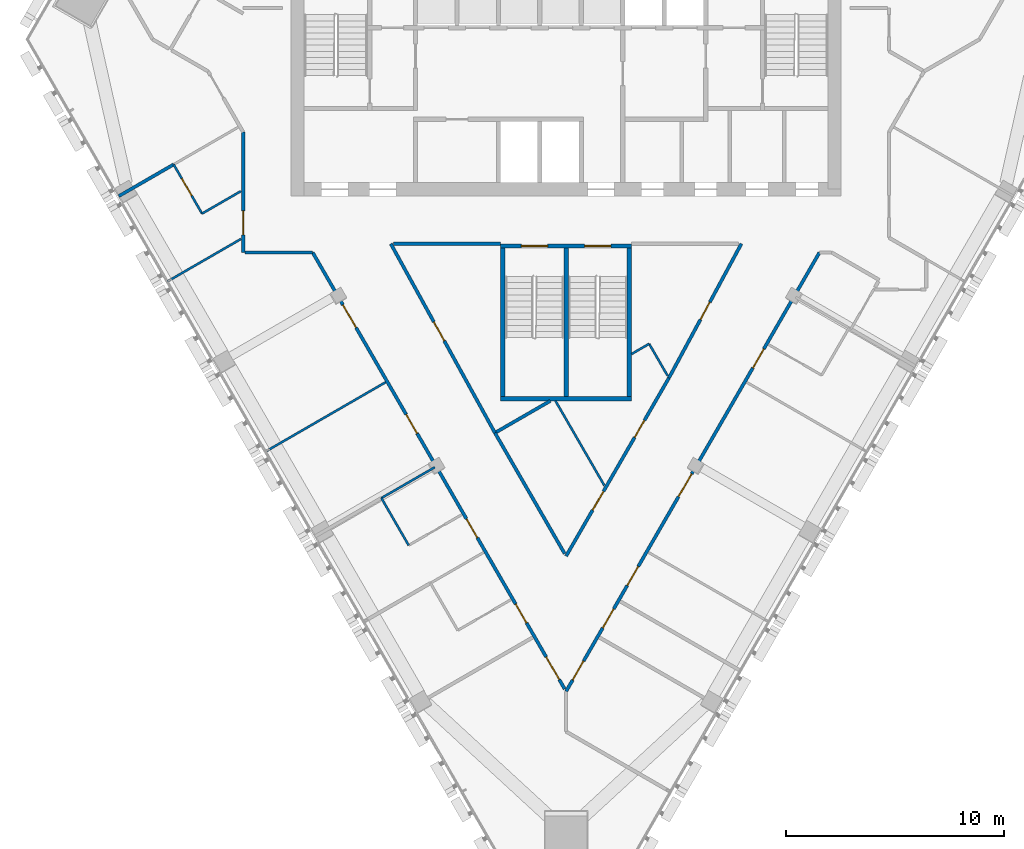
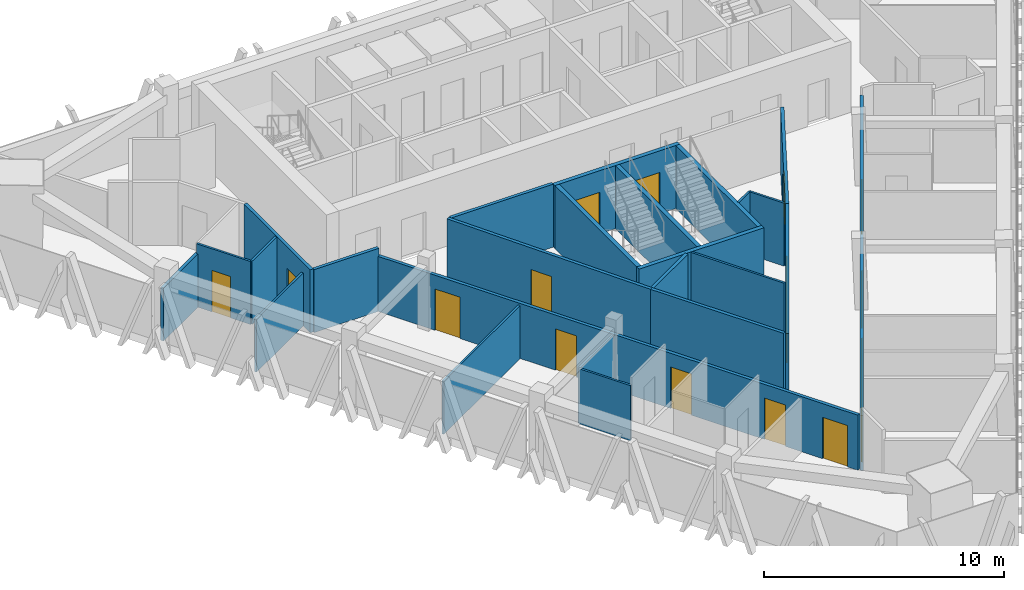
# One storey, part 8 of 14: 25 walls, 18 doors, 18 openings.
"""IFC4 building model written with IfcOpenShell, lengths in metres."""

from ifc_helpers import new_model, si_unit, direction, frame, frame_2d, origin, place, context, subcontext, project, spatial, rectangle, extrude, material, layer, layer_set, type_object, element, fill, save


model = new_model("IFC4")

# Units and contexts
model_context = context("Model", 3, precision=1e-05, world=origin(), true_north=direction((0.0, 1.0)))
body_context = subcontext(model_context, "Body", "Model", "MODEL_VIEW")
ifc_project = project(units=[si_unit("LENGTHUNIT", "METRE"), si_unit("AREAUNIT", "SQUARE_METRE"), si_unit("VOLUMEUNIT", "CUBIC_METRE"), si_unit("PLANEANGLEUNIT", "RADIAN"), si_unit("MASSUNIT", "GRAM", prefix="KILO")], contexts=[model_context])

# Site, building, storey
site_placement = place(None, origin())
site = spatial("IfcSite", under=ifc_project, at=site_placement, CompositionType="ELEMENT")
building_placement = place(site_placement, origin())
building = spatial("IfcBuilding", under=site, at=building_placement, Name="Altiplano Prism Tower", CompositionType="ELEMENT")
storey_placement = place(building_placement, frame((0.0, 0.0, 223.0)))
storey = spatial("IfcBuildingStorey", under=building, at=storey_placement, Name="L57", CompositionType="ELEMENT", Elevation=223.0)

# Wall
ifc_material_1 = material(Name="Plasterboard on steel stud", Category="steel")
ifc_layer_1 = layer(ifc_material_1, 0.10009765625)
ifc_layer_set_1 = layer_set([ifc_layer_1], Name="Plasterboard on steel stud")
wall_type_1 = type_object("IfcWallType", Name="Partition 100 unit", PredefinedType="PARTITIONING", material=ifc_layer_set_1)
wall_1_placement = place(storey_placement, frame((70.10009765625, 93.012451171875, 0.0), z_axis=(0.0, 0.0, 1.0), x_axis=(-0.866001980287, -0.500040568494, 0.0)))
element("IfcWall", 1, at=wall_1_placement, inside=storey, type_object=wall_type_1, Name="Partition P02 L57 035", PredefinedType="PARTITIONING", context=body_context, shape_type="SweptSolid", body=[
    extrude(rectangle(XDim=2.059326171875, YDim=0.10009765625, at=frame_2d((1.02978515625, 0.0))), origin(), (0.0, 0.0, 1.0), 3.199951171875),
])

# Wall, opening, door
wall_2_placement = place(storey_placement, frame((68.316650390625, 91.982666015625, 0.0), z_axis=(0.0, 0.0, 1.0), x_axis=(-0.500006934395, 0.866021400173, 0.0)))
wall_2 = element("IfcWall", 2, at=wall_2_placement, inside=storey, type_object=wall_type_1, Name="Partition P02 L57 036", PredefinedType="PARTITIONING", context=body_context, shape_type="SweptSolid", body=[
    extrude(rectangle(XDim=2.60009765625, YDim=0.10009765625, at=frame_2d((1.300048828125, 0.0))), origin(), (0.0, 0.0, 1.0), 3.199951171875),
])
opening_1_placement = place(wall_2_placement, frame((0.95703125, 0.0, 0.0)))
opening_1 = element("IfcOpeningElement", 3, at=opening_1_placement, cuts=wall_2, Name="Opening D1903", PredefinedType="OPENING", context=body_context, shape_type="SweptSolid", body=[
    extrude(rectangle(XDim=0.89990234375, YDim=2.10009765625, at=frame_2d((0.449951171875, 1.050048828125))), frame((0.0, 0.060546875, 0.0), z_axis=(0.0, -1.0, 0.0), x_axis=(1.0, 0.0, 0.0)), (0.0, 0.0, 1.0), 0.12109375),
])
ifc_material_2 = material(Name="Timber", Category="wood")
door_type_1 = type_object("IfcDoorType", Name="Accessible ensuite door 900 x 2100", OperationType="NOTDEFINED", PredefinedType="NOTDEFINED", material=ifc_material_2)
door_1_placement = place(opening_1_placement, origin())
door_1 = element("IfcDoor", 4, at=door_1_placement, inside=storey, type_object=door_type_1, Name="Door D1903", OperationType="SINGLE_SWING_LEFT", OverallHeight=2.10009765625, OverallWidth=0.89990234375, PredefinedType="NOTDEFINED", context=body_context, shape_type="SweptSolid", body=[
    extrude(rectangle(XDim=0.89990234375, YDim=2.10009765625, at=frame_2d((0.449951171875, 1.050048828125))), frame((0.0, 0.02490234375, 0.0), z_axis=(0.0, -1.0, 0.0), x_axis=(1.0, 0.0, 0.0)), (0.0, 0.0, 1.0), 0.050048828125),
])
fill(opening_1, door_1)

# Walls
wall_3_placement = place(storey_placement, frame((77.7861328125, 76.781005859375, 0.0), z_axis=(0.0, 0.0, 1.0), x_axis=(-0.500004234368, 0.866022959057, 0.0)))
element("IfcWall", 5, at=wall_3_placement, inside=storey, type_object=wall_type_1, Name="Partition P02 L57 042", PredefinedType="PARTITIONING", context=body_context, shape_type="SweptSolid", body=[
    extrude(rectangle(XDim=2.5, YDim=0.10009765625, at=frame_2d((1.25, 0.0))), origin(), (0.0, 0.0, 1.0), 2.800048828125),
])
ifc_layer_2 = layer(ifc_material_1, 0.10009765625)
ifc_layer_set_2 = layer_set([ifc_layer_2], Name="Plasterboard on steel stud")
wall_type_2 = type_object("IfcWallType", Name="Partition 100 wet", PredefinedType="PARTITIONING", material=ifc_layer_set_2)
wall_4_placement = place(storey_placement, frame((89.652099609375, 84.551513671875, 0.0), z_axis=(0.0, 0.0, 1.0), x_axis=(-0.499993479487, 0.866029168372, 0.0)))
element("IfcWall", 6, at=wall_4_placement, inside=storey, type_object=wall_type_2, Name="Partition P03 L57 027", PredefinedType="PARTITIONING", context=body_context, shape_type="SweptSolid", body=[
    extrude(rectangle(XDim=1.689453125, YDim=0.10009765625, at=frame_2d((0.8447265625, 0.0))), origin(), (0.0, 0.0, 1.0), 3.199951171875),
])
wall_5_placement = place(storey_placement, frame((88.807373046875, 86.0146484375, 0.0), z_axis=(0.0, 0.0, 1.0), x_axis=(-0.865945721433, -0.50013798849, 0.0)))
element("IfcWall", 7, at=wall_5_placement, inside=storey, type_object=wall_type_2, Name="Partition P03 L57 028", PredefinedType="PARTITIONING", context=body_context, shape_type="SweptSolid", body=[
    extrude(rectangle(XDim=0.932373046875, YDim=0.10009765625, at=frame_2d((0.46630859375, 0.0))), origin(), (0.0, 0.0, 1.0), 3.199951171875),
])
wall_6_placement = place(storey_placement, frame((84.514404296875, 83.39990234375, 0.0), z_axis=(0.0, 0.0, 1.0), x_axis=(0.499986818241, -0.866033014143, 0.0)))
element("IfcWall", 8, at=wall_6_placement, inside=storey, type_object=wall_type_2, Name="Partition P03 L57 029", PredefinedType="PARTITIONING", context=body_context, shape_type="SweptSolid", body=[
    extrude(rectangle(XDim=4.4765625, YDim=0.10009765625, at=frame_2d((2.23828125, 0.0))), origin(), (0.0, 0.0, 1.0), 3.199951171875),
])
wall_7_placement = place(storey_placement, frame((66.737548828125, 88.877197265625, 0.0), z_axis=(0.0, 0.0, 1.0), x_axis=(0.866021190573, 0.500007297425, 0.0)))
element("IfcWall", 9, at=wall_7_placement, inside=storey, type_object=wall_type_2, Name="Partition P03 L57 037", PredefinedType="PARTITIONING", context=body_context, shape_type="SweptSolid", body=[
    extrude(rectangle(XDim=3.8828125, YDim=0.10009765625, at=frame_2d((1.94140625, 0.0))), origin(), (0.0, 0.0, 1.0), 2.699951171875),
])
wall_8_placement = place(storey_placement, frame((71.237548828125, 81.0830078125, 0.0), z_axis=(0.0, 0.0, 1.0), x_axis=(0.866025401434, 0.500000004071, 0.0)))
element("IfcWall", 10, at=wall_8_placement, inside=storey, type_object=wall_type_2, Name="Partition P03 L57 038", PredefinedType="PARTITIONING", context=body_context, shape_type="SweptSolid", body=[
    extrude(rectangle(XDim=6.34521484375, YDim=0.10009765625, at=frame_2d((3.172607421875, 0.0))), origin(), (0.0, 0.0, 1.0), 2.699951171875),
])
wall_9_placement = place(storey_placement, frame((76.5361328125, 78.946044921875, 0.0), z_axis=(0.0, 0.0, 1.0), x_axis=(0.866048868473, 0.499959355765, 0.0)))
element("IfcWall", 11, at=wall_9_placement, inside=storey, type_object=wall_type_2, Name="Partition P03 L57 040", PredefinedType="PARTITIONING", context=body_context, shape_type="SweptSolid", body=[
    extrude(rectangle(XDim=2.824951171875, YDim=0.10009765625, at=frame_2d((1.41259765625, 0.0))), origin(), (0.0, 0.0, 1.0), 2.800048828125),
])

# Wall, openings, doors
ifc_layer_3 = layer(ifc_material_1, 0.14990234375)
ifc_layer_set_3 = layer_set([ifc_layer_3], Name="Plasterboard on steel stud")
wall_type_3 = type_object("IfcWallType", Name="Partition 150 corridor", PredefinedType="PARTITIONING", material=ifc_layer_set_3)
wall_10_placement = place(storey_placement, frame((89.71142578125, 84.44873046875, 0.0), z_axis=(0.0, 0.0, 1.0), x_axis=(-0.499900351431, -0.866082928269, 0.0)))
wall_10 = element("IfcWall", 12, at=wall_10_placement, inside=storey, type_object=wall_type_3, Name="Partition P06 L57 001", PredefinedType="PARTITIONING", context=body_context, shape_type="SweptSolid", body=[
    extrude(rectangle(XDim=9.4248046875, YDim=0.14990234375, at=frame_2d((4.71240234375, 0.0))), origin(), (0.0, 0.0, 1.0), 3.199951171875),
])
opening_2_placement = place(wall_10_placement, frame((2.239990234375, 0.0, 0.0)))
opening_2 = element("IfcOpeningElement", 13, at=opening_2_placement, cuts=wall_10, Name="Opening D1897", PredefinedType="OPENING", context=body_context, shape_type="SweptSolid", body=[
    extrude(rectangle(XDim=0.89990234375, YDim=2.10009765625, at=frame_2d((0.449951171875, 1.050048828125))), frame((0.0, 0.08544921875, 0.0), z_axis=(0.0, -1.0, 0.0), x_axis=(1.0, 0.0, 0.0)), (0.0, 0.0, 1.0), 0.1708984375),
])
opening_3_placement = place(wall_10_placement, frame((5.99609375, 0.0, 0.0)))
opening_3 = element("IfcOpeningElement", 14, at=opening_3_placement, cuts=wall_10, Name="Opening D1899", PredefinedType="OPENING", context=body_context, shape_type="SweptSolid", body=[
    extrude(rectangle(XDim=1.0, YDim=2.10009765625, at=frame_2d((0.5, 1.050048828125))), frame((0.0, 0.08544921875, 0.0), z_axis=(0.0, -1.0, 0.0), x_axis=(1.0, 0.0, 0.0)), (0.0, 0.0, 1.0), 0.1708984375),
])
door_type_2 = type_object("IfcDoorType", Name="Store door 1000 x 2100", OperationType="NOTDEFINED", PredefinedType="NOTDEFINED", material=ifc_material_2)
door_2_placement = place(opening_3_placement, origin())
door_2 = element("IfcDoor", 15, at=door_2_placement, inside=storey, type_object=door_type_2, Name="Door D1899", OperationType="SINGLE_SWING_RIGHT", OverallHeight=2.10009765625, OverallWidth=1.0, PredefinedType="NOTDEFINED", context=body_context, shape_type="SweptSolid", body=[
    extrude(rectangle(XDim=1.0, YDim=2.10009765625, at=frame_2d((0.5, 1.050048828125))), frame((0.0, 0.02490234375, 0.0), z_axis=(0.0, -1.0, 0.0), x_axis=(1.0, 0.0, 0.0)), (0.0, 0.0, 1.0), 0.050048828125),
])
fill(opening_3, door_2)
door_type_3 = type_object("IfcDoorType", Name="Toilet door 900 x 2100", OperationType="NOTDEFINED", PredefinedType="NOTDEFINED", material=ifc_material_2)
door_3_placement = place(opening_2_placement, origin())
door_3 = element("IfcDoor", 16, at=door_3_placement, inside=storey, type_object=door_type_3, Name="Door D1897", OperationType="SINGLE_SWING_LEFT", OverallHeight=2.10009765625, OverallWidth=0.89990234375, PredefinedType="NOTDEFINED", context=body_context, shape_type="SweptSolid", body=[
    extrude(rectangle(XDim=0.89990234375, YDim=2.10009765625, at=frame_2d((0.449951171875, 1.050048828125))), frame((0.0, 0.02490234375, 0.0), z_axis=(0.0, -1.0, 0.0), x_axis=(1.0, 0.0, 0.0)), (0.0, 0.0, 1.0), 0.050048828125),
])
fill(opening_2, door_3)

# Wall, opening, door
wall_11_placement = place(storey_placement, frame((93.033203125, 90.60009765625, 0.0), z_axis=(0.0, 0.0, 1.0), x_axis=(-0.475153240815, -0.87990306156, 0.0)))
wall_11 = element("IfcWall", 17, at=wall_11_placement, inside=storey, type_object=wall_type_3, Name="Partition P06 L57 003", PredefinedType="PARTITIONING", context=body_context, shape_type="SweptSolid", body=[
    extrude(rectangle(XDim=6.990966796875, YDim=0.14990234375, at=frame_2d((3.49560546875, 0.0))), origin(), (0.0, 0.0, 1.0), 3.199951171875),
])
opening_4_placement = place(wall_11_placement, frame((3.041015625, 0.0, 0.0)))
opening_4 = element("IfcOpeningElement", 18, at=opening_4_placement, cuts=wall_11, Name="Opening D1898", PredefinedType="OPENING", context=body_context, shape_type="SweptSolid", body=[
    extrude(rectangle(XDim=0.89990234375, YDim=2.10009765625, at=frame_2d((0.449951171875, 1.050048828125))), frame((0.0, 0.08544921875, 0.0), z_axis=(0.0, -1.0, 0.0), x_axis=(1.0, 0.0, 0.0)), (0.0, 0.0, 1.0), 0.1708984375),
])
door_4_placement = place(opening_4_placement, origin())
door_4 = element("IfcDoor", 19, at=door_4_placement, inside=storey, type_object=door_type_3, Name="Door D1898", OperationType="SINGLE_SWING_RIGHT", OverallHeight=2.10009765625, OverallWidth=0.89990234375, PredefinedType="NOTDEFINED", context=body_context, shape_type="SweptSolid", body=[
    extrude(rectangle(XDim=0.89990234375, YDim=2.10009765625, at=frame_2d((0.449951171875, 1.050048828125))), frame((0.0, 0.02490234375, 0.0), z_axis=(0.0, -1.0, 0.0), x_axis=(1.0, 0.0, 0.0)), (0.0, 0.0, 1.0), 0.050048828125),
])
fill(opening_4, door_4)

# Wall
wall_12_placement = place(storey_placement, frame((84.93505859375, 76.398681640625, 0.0), z_axis=(0.0, 0.0, 1.0), x_axis=(-0.499861334108, 0.866105447774, 0.0)))
element("IfcWall", 20, at=wall_12_placement, inside=storey, type_object=wall_type_3, Name="Partition P06 L57 004", PredefinedType="PARTITIONING", context=body_context, shape_type="SweptSolid", body=[
    extrude(rectangle(XDim=6.391357421875, YDim=0.14990234375, at=frame_2d((3.19580078125, 0.0))), origin(), (0.0, 0.0, 1.0), 3.199951171875),
])

# Wall, opening, door
wall_13_placement = place(storey_placement, frame((81.740234375, 81.934326171875, 0.0), z_axis=(0.0, 0.0, 1.0), x_axis=(-0.482482286974, 0.875905727094, 0.0)))
wall_13 = element("IfcWall", 21, at=wall_13_placement, inside=storey, type_object=wall_type_3, Name="Partition P06 L57 005", PredefinedType="PARTITIONING", context=body_context, shape_type="SweptSolid", body=[
    extrude(rectangle(XDim=9.8935546875, YDim=0.14990234375, at=frame_2d((4.94677734375, 0.0))), origin(), (0.0, 0.0, 1.0), 3.199951171875),
])
opening_5_placement = place(wall_13_placement, frame((4.806884765625, 0.0, 0.0)))
opening_5 = element("IfcOpeningElement", 22, at=opening_5_placement, cuts=wall_13, Name="Opening D1900", PredefinedType="OPENING", context=body_context, shape_type="SweptSolid", body=[
    extrude(rectangle(XDim=1.0, YDim=2.10009765625, at=frame_2d((0.5, 1.050048828125))), frame((0.0, 0.08544921875, 0.0), z_axis=(0.0, -1.0, 0.0), x_axis=(1.0, 0.0, 0.0)), (0.0, 0.0, 1.0), 0.1708984375),
])
door_5_placement = place(opening_5_placement, origin())
door_5 = element("IfcDoor", 23, at=door_5_placement, inside=storey, type_object=door_type_2, Name="Door D1900", OperationType="SINGLE_SWING_RIGHT", OverallHeight=2.10009765625, OverallWidth=1.0, PredefinedType="NOTDEFINED", context=body_context, shape_type="SweptSolid", body=[
    extrude(rectangle(XDim=1.0, YDim=2.10009765625, at=frame_2d((0.5, 1.050048828125))), frame((0.0, 0.02490234375, 0.0), z_axis=(0.0, -1.0, 0.0), x_axis=(1.0, 0.0, 0.0)), (0.0, 0.0, 1.0), 0.050048828125),
])
fill(opening_5, door_5)

# Wall
wall_14_placement = place(storey_placement, frame((77.09375, 90.60009765625, 0.0), z_axis=(0.0, 0.0, 1.0), x_axis=(1.0, 0.0, 0.0)))
element("IfcWall", 24, at=wall_14_placement, inside=storey, type_object=wall_type_3, Name="Partition P06 L57 006", PredefinedType="PARTITIONING", context=body_context, shape_type="SweptSolid", body=[
    extrude(rectangle(XDim=4.90625, YDim=0.14990234375, at=frame_2d((2.453125, 0.0))), origin(), (0.0, 0.0, 1.0), 3.199951171875),
])

# Wall, opening, door
wall_15_placement = place(storey_placement, frame((70.199951171875, 95.720458984375, 0.0), z_axis=(0.0, 0.0, 1.0), x_axis=(0.0, -1.0, 0.0)))
wall_15 = element("IfcWall", 25, at=wall_15_placement, inside=storey, type_object=wall_type_3, Name="Partition P06 L57 009", PredefinedType="PARTITIONING", context=body_context, shape_type="SweptSolid", body=[
    extrude(rectangle(XDim=5.5205078125, YDim=0.14990234375, at=frame_2d((2.76025390625, 0.0))), origin(), (0.0, 0.0, 1.0), 3.199951171875),
])
opening_6_placement = place(wall_15_placement, frame((3.60888671875, 0.0, 0.0)))
opening_6 = element("IfcOpeningElement", 26, at=opening_6_placement, cuts=wall_15, Name="Opening D1902", PredefinedType="OPENING", context=body_context, shape_type="SweptSolid", body=[
    extrude(rectangle(XDim=1.10009765625, YDim=2.10009765625, at=frame_2d((0.550048828125, 1.050048828125))), frame((0.0, 0.08544921875, 0.0), z_axis=(0.0, -1.0, 0.0), x_axis=(1.0, 0.0, 0.0)), (0.0, 0.0, 1.0), 0.1708984375),
])
door_type_4 = type_object("IfcDoorType", Name="Accessible bedroom door 1100 x 2100", OperationType="NOTDEFINED", PredefinedType="NOTDEFINED", material=ifc_material_2)
door_6_placement = place(opening_6_placement, origin())
door_6 = element("IfcDoor", 27, at=door_6_placement, inside=storey, type_object=door_type_4, Name="Door D1902", OperationType="SINGLE_SWING_LEFT", OverallHeight=2.10009765625, OverallWidth=1.10009765625, PredefinedType="NOTDEFINED", context=body_context, shape_type="SweptSolid", body=[
    extrude(rectangle(XDim=1.10009765625, YDim=2.10009765625, at=frame_2d((0.550048828125, 1.050048828125))), frame((0.0, 0.02490234375, 0.0), z_axis=(0.0, -1.0, 0.0), x_axis=(1.0, 0.0, 0.0)), (0.0, 0.0, 1.0), 0.050048828125),
])
fill(opening_6, door_6)

# Wall
wall_16_placement = place(storey_placement, frame((70.27490234375, 90.199951171875, 0.0), z_axis=(0.0, 0.0, 1.0), x_axis=(1.0, 0.0, 0.0)))
element("IfcWall", 28, at=wall_16_placement, inside=storey, type_object=wall_type_3, Name="Partition P06 L57 010", PredefinedType="PARTITIONING", context=body_context, shape_type="SweptSolid", body=[
    extrude(rectangle(XDim=3.1123046875, YDim=0.14990234375, at=frame_2d((1.55615234375, 0.0))), origin(), (0.0, 0.0, 1.0), 3.199951171875),
])

# Wall, openings, doors
wall_17_placement = place(storey_placement, frame((73.38720703125, 90.199951171875, 0.0), z_axis=(0.0, 0.0, 1.0), x_axis=(0.500004591975, -0.86602275259, 0.0)))
wall_17 = element("IfcWall", 29, at=wall_17_placement, inside=storey, type_object=wall_type_3, Name="Partition P06 L57 011", PredefinedType="PARTITIONING", context=body_context, shape_type="SweptSolid", body=[
    extrude(rectangle(XDim=23.095458984375, YDim=0.14990234375, at=frame_2d((11.5478515625, 0.0))), origin(), (0.0, 0.0, 1.0), 2.800048828125),
])
opening_7_placement = place(wall_17_placement, frame((2.77294921875, 0.0, 0.0)))
opening_7 = element("IfcOpeningElement", 30, at=opening_7_placement, cuts=wall_17, Name="Opening D1904", PredefinedType="OPENING", context=body_context, shape_type="SweptSolid", body=[
    extrude(rectangle(XDim=1.199951171875, YDim=2.10009765625, at=frame_2d((0.60009765625, 1.050048828125))), frame((0.0, 0.08544921875, 0.0), z_axis=(0.0, -1.0, 0.0), x_axis=(1.0, 0.0, 0.0)), (0.0, 0.0, 1.0), 0.1708984375),
])
opening_8_placement = place(wall_17_placement, frame((8.571044921875, 0.0, 0.0)))
opening_8 = element("IfcOpeningElement", 31, at=opening_8_placement, cuts=wall_17, Name="Opening D1905", PredefinedType="OPENING", context=body_context, shape_type="SweptSolid", body=[
    extrude(rectangle(XDim=1.0, YDim=2.10009765625, at=frame_2d((0.5, 1.050048828125))), frame((0.0, 0.08544921875, 0.0), z_axis=(0.0, -1.0, 0.0), x_axis=(1.0, 0.0, 0.0)), (0.0, 0.0, 1.0), 0.1708984375),
])
opening_9_placement = place(wall_17_placement, frame((14.10009765625, 0.0, 0.0)))
opening_9 = element("IfcOpeningElement", 32, at=opening_9_placement, cuts=wall_17, Name="Opening D1906", PredefinedType="OPENING", context=body_context, shape_type="SweptSolid", body=[
    extrude(rectangle(XDim=1.0, YDim=2.10009765625, at=frame_2d((0.5, 1.050048828125))), frame((0.0, 0.08544921875, 0.0), z_axis=(0.0, -1.0, 0.0), x_axis=(1.0, 0.0, 0.0)), (0.0, 0.0, 1.0), 0.1708984375),
])
opening_10_placement = place(wall_17_placement, frame((18.60009765625, 0.0, 0.0)))
opening_10 = element("IfcOpeningElement", 33, at=opening_10_placement, cuts=wall_17, Name="Opening D1908", PredefinedType="OPENING", context=body_context, shape_type="SweptSolid", body=[
    extrude(rectangle(XDim=1.0, YDim=2.10009765625, at=frame_2d((0.5, 1.050048828125))), frame((0.0, 0.08544921875, 0.0), z_axis=(0.0, -1.0, 0.0), x_axis=(1.0, 0.0, 0.0)), (0.0, 0.0, 1.0), 0.1708984375),
])
opening_11_placement = place(wall_17_placement, frame((21.39990234375, 0.0, 0.0)))
opening_11 = element("IfcOpeningElement", 34, at=opening_11_placement, cuts=wall_17, Name="Opening D1910", PredefinedType="OPENING", context=body_context, shape_type="SweptSolid", body=[
    extrude(rectangle(XDim=1.199951171875, YDim=2.10009765625, at=frame_2d((0.60009765625, 1.050048828125))), frame((0.0, 0.08544921875, 0.0), z_axis=(0.0, -1.0, 0.0), x_axis=(1.0, 0.0, 0.0)), (0.0, 0.0, 1.0), 0.1708984375),
])
door_type_5 = type_object("IfcDoorType", Name="Bedroom entrance door 1000 x 2100", OperationType="NOTDEFINED", PredefinedType="NOTDEFINED", material=ifc_material_2)
door_7_placement = place(opening_9_placement, origin())
door_7 = element("IfcDoor", 35, at=door_7_placement, inside=storey, type_object=door_type_5, Name="Door D1906", OperationType="SINGLE_SWING_RIGHT", OverallHeight=2.10009765625, OverallWidth=1.0, PredefinedType="NOTDEFINED", context=body_context, shape_type="SweptSolid", body=[
    extrude(rectangle(XDim=1.0, YDim=2.10009765625, at=frame_2d((0.5, 1.050048828125))), frame((0.0, 0.02490234375, 0.0), z_axis=(0.0, -1.0, 0.0), x_axis=(1.0, 0.0, 0.0)), (0.0, 0.0, 1.0), 0.050048828125),
])
fill(opening_9, door_7)
door_8_placement = place(opening_10_placement, origin())
door_8 = element("IfcDoor", 36, at=door_8_placement, inside=storey, type_object=door_type_5, Name="Door D1908", OperationType="SINGLE_SWING_RIGHT", OverallHeight=2.10009765625, OverallWidth=1.0, PredefinedType="NOTDEFINED", context=body_context, shape_type="SweptSolid", body=[
    extrude(rectangle(XDim=1.0, YDim=2.10009765625, at=frame_2d((0.5, 1.050048828125))), frame((0.0, 0.02490234375, 0.0), z_axis=(0.0, -1.0, 0.0), x_axis=(1.0, 0.0, 0.0)), (0.0, 0.0, 1.0), 0.050048828125),
])
fill(opening_10, door_8)
door_type_6 = type_object("IfcDoorType", Name="Room door 1000 x 2100", OperationType="NOTDEFINED", PredefinedType="NOTDEFINED", material=ifc_material_2)
door_9_placement = place(opening_8_placement, origin())
door_9 = element("IfcDoor", 37, at=door_9_placement, inside=storey, type_object=door_type_6, Name="Door D1905", OperationType="SINGLE_SWING_LEFT", OverallHeight=2.10009765625, OverallWidth=1.0, PredefinedType="NOTDEFINED", context=body_context, shape_type="SweptSolid", body=[
    extrude(rectangle(XDim=1.0, YDim=2.10009765625, at=frame_2d((0.5, 1.050048828125))), frame((0.0, 0.02490234375, 0.0), z_axis=(0.0, -1.0, 0.0), x_axis=(1.0, 0.0, 0.0)), (0.0, 0.0, 1.0), 0.050048828125),
])
fill(opening_8, door_9)
door_type_7 = type_object("IfcDoorType", Name="Shared room door 1200 x 2100", OperationType="NOTDEFINED", PredefinedType="NOTDEFINED", material=ifc_material_2)
door_10_placement = place(opening_7_placement, origin())
door_10 = element("IfcDoor", 38, at=door_10_placement, inside=storey, type_object=door_type_7, Name="Door D1904", OperationType="SINGLE_SWING_LEFT", OverallHeight=2.10009765625, OverallWidth=1.199951171875, PredefinedType="NOTDEFINED", context=body_context, shape_type="SweptSolid", body=[
    extrude(rectangle(XDim=1.199951171875, YDim=2.10009765625, at=frame_2d((0.60009765625, 1.050048828125))), frame((0.0, 0.02490234375, 0.0), z_axis=(0.0, -1.0, 0.0), x_axis=(1.0, 0.0, 0.0)), (0.0, 0.0, 1.0), 0.050048828125),
])
fill(opening_7, door_10)
door_11_placement = place(opening_11_placement, origin())
door_11 = element("IfcDoor", 39, at=door_11_placement, inside=storey, type_object=door_type_7, Name="Door D1910", OperationType="SINGLE_SWING_RIGHT", OverallHeight=2.10009765625, OverallWidth=1.199951171875, PredefinedType="NOTDEFINED", context=body_context, shape_type="SweptSolid", body=[
    extrude(rectangle(XDim=1.199951171875, YDim=2.10009765625, at=frame_2d((0.60009765625, 1.050048828125))), frame((0.0, 0.02490234375, 0.0), z_axis=(0.0, -1.0, 0.0), x_axis=(1.0, 0.0, 0.0)), (0.0, 0.0, 1.0), 0.050048828125),
])
fill(opening_11, door_11)

wall_18_placement = place(storey_placement, frame((85.0, 70.086181640625, 0.0), z_axis=(0.0, 0.0, 1.0), x_axis=(0.500003316903, 0.866023488761, 0.0)))
wall_18 = element("IfcWall", 40, at=wall_18_placement, inside=storey, type_object=wall_type_3, Name="Partition P06 L57 012", PredefinedType="PARTITIONING", context=body_context, shape_type="SweptSolid", body=[
    extrude(rectangle(XDim=23.225341796875, YDim=0.14990234375, at=frame_2d((11.61279296875, 0.0))), origin(), (0.0, 0.0, 1.0), 2.800048828125),
])
opening_12_placement = place(wall_18_placement, frame((0.59912109375, 0.0, 0.0)))
opening_12 = element("IfcOpeningElement", 41, at=opening_12_placement, cuts=wall_18, Name="Opening D1911", PredefinedType="OPENING", context=body_context, shape_type="SweptSolid", body=[
    extrude(rectangle(XDim=1.0, YDim=2.10009765625, at=frame_2d((0.5, 1.050048828125))), frame((0.0, 0.08544921875, 0.0), z_axis=(0.0, -1.0, 0.0), x_axis=(1.0, 0.0, 0.0)), (0.0, 0.0, 1.0), 0.1708984375),
])
opening_13_placement = place(wall_18_placement, frame((3.360107421875, 0.0, 0.0)))
opening_13 = element("IfcOpeningElement", 42, at=opening_13_placement, cuts=wall_18, Name="Opening D1912", PredefinedType="OPENING", context=body_context, shape_type="SweptSolid", body=[
    extrude(rectangle(XDim=1.0, YDim=2.10009765625, at=frame_2d((0.5, 1.050048828125))), frame((0.0, 0.08544921875, 0.0), z_axis=(0.0, -1.0, 0.0), x_axis=(1.0, 0.0, 0.0)), (0.0, 0.0, 1.0), 0.1708984375),
])
opening_14_placement = place(wall_18_placement, frame((5.610107421875, 0.0, 0.0)))
opening_14 = element("IfcOpeningElement", 43, at=opening_14_placement, cuts=wall_18, Name="Opening D1913", PredefinedType="OPENING", context=body_context, shape_type="SweptSolid", body=[
    extrude(rectangle(XDim=1.0, YDim=2.10009765625, at=frame_2d((0.5, 1.050048828125))), frame((0.0, 0.08544921875, 0.0), z_axis=(0.0, -1.0, 0.0), x_axis=(1.0, 0.0, 0.0)), (0.0, 0.0, 1.0), 0.1708984375),
])
opening_15_placement = place(wall_18_placement, frame((10.304931640625, 0.0, 0.0)))
opening_15 = element("IfcOpeningElement", 44, at=opening_15_placement, cuts=wall_18, Name="Opening D1914", PredefinedType="OPENING", context=body_context, shape_type="SweptSolid", body=[
    extrude(rectangle(XDim=1.199951171875, YDim=2.10009765625, at=frame_2d((0.60009765625, 1.050048828125))), frame((0.0, 0.08544921875, 0.0), z_axis=(0.0, -1.0, 0.0), x_axis=(1.0, 0.0, 0.0)), (0.0, 0.0, 1.0), 0.1708984375),
])
opening_16_placement = place(wall_18_placement, frame((17.125, 0.0, 0.0)))
opening_16 = element("IfcOpeningElement", 45, at=opening_16_placement, cuts=wall_18, Name="Opening D1915", PredefinedType="OPENING", context=body_context, shape_type="SweptSolid", body=[
    extrude(rectangle(XDim=1.0, YDim=2.10009765625, at=frame_2d((0.5, 1.050048828125))), frame((0.0, 0.08544921875, 0.0), z_axis=(0.0, -1.0, 0.0), x_axis=(1.0, 0.0, 0.0)), (0.0, 0.0, 1.0), 0.1708984375),
])
door_12_placement = place(opening_16_placement, origin())
door_12 = element("IfcDoor", 46, at=door_12_placement, inside=storey, type_object=door_type_5, Name="Door D1915", OperationType="SINGLE_SWING_LEFT", OverallHeight=2.10009765625, OverallWidth=1.0, PredefinedType="NOTDEFINED", context=body_context, shape_type="SweptSolid", body=[
    extrude(rectangle(XDim=1.0, YDim=2.10009765625, at=frame_2d((0.5, 1.050048828125))), frame((0.0, 0.02490234375, 0.0), z_axis=(0.0, -1.0, 0.0), x_axis=(1.0, 0.0, 0.0)), (0.0, 0.0, 1.0), 0.050048828125),
])
fill(opening_16, door_12)
door_13_placement = place(opening_12_placement, origin())
door_13 = element("IfcDoor", 47, at=door_13_placement, inside=storey, type_object=door_type_6, Name="Door D1911", OperationType="SINGLE_SWING_RIGHT", OverallHeight=2.10009765625, OverallWidth=1.0, PredefinedType="NOTDEFINED", context=body_context, shape_type="SweptSolid", body=[
    extrude(rectangle(XDim=1.0, YDim=2.10009765625, at=frame_2d((0.5, 1.050048828125))), frame((0.0, 0.02490234375, 0.0), z_axis=(0.0, -1.0, 0.0), x_axis=(1.0, 0.0, 0.0)), (0.0, 0.0, 1.0), 0.050048828125),
])
fill(opening_12, door_13)
door_14_placement = place(opening_15_placement, origin())
door_14 = element("IfcDoor", 48, at=door_14_placement, inside=storey, type_object=door_type_7, Name="Door D1914", OperationType="SINGLE_SWING_RIGHT", OverallHeight=2.10009765625, OverallWidth=1.199951171875, PredefinedType="NOTDEFINED", context=body_context, shape_type="SweptSolid", body=[
    extrude(rectangle(XDim=1.199951171875, YDim=2.10009765625, at=frame_2d((0.60009765625, 1.050048828125))), frame((0.0, 0.02490234375, 0.0), z_axis=(0.0, -1.0, 0.0), x_axis=(1.0, 0.0, 0.0)), (0.0, 0.0, 1.0), 0.050048828125),
])
fill(opening_15, door_14)
door_15_placement = place(opening_13_placement, origin())
door_15 = element("IfcDoor", 49, at=door_15_placement, inside=storey, type_object=door_type_2, Name="Door D1912", OperationType="SINGLE_SWING_RIGHT", OverallHeight=2.10009765625, OverallWidth=1.0, PredefinedType="NOTDEFINED", context=body_context, shape_type="SweptSolid", body=[
    extrude(rectangle(XDim=1.0, YDim=2.10009765625, at=frame_2d((0.5, 1.050048828125))), frame((0.0, 0.02490234375, 0.0), z_axis=(0.0, -1.0, 0.0), x_axis=(1.0, 0.0, 0.0)), (0.0, 0.0, 1.0), 0.050048828125),
])
fill(opening_13, door_15)
door_16_placement = place(opening_14_placement, origin())
door_16 = element("IfcDoor", 50, at=door_16_placement, inside=storey, type_object=door_type_2, Name="Door D1913", OperationType="SINGLE_SWING_RIGHT", OverallHeight=2.10009765625, OverallWidth=1.0, PredefinedType="NOTDEFINED", context=body_context, shape_type="SweptSolid", body=[
    extrude(rectangle(XDim=1.0, YDim=2.10009765625, at=frame_2d((0.5, 1.050048828125))), frame((0.0, 0.02490234375, 0.0), z_axis=(0.0, -1.0, 0.0), x_axis=(1.0, 0.0, 0.0)), (0.0, 0.0, 1.0), 0.050048828125),
])
fill(opening_14, door_16)

# Walls
ifc_layer_4 = layer(ifc_material_1, 0.14990234375)
ifc_layer_set_4 = layer_set([ifc_layer_4], Name="Plasterboard on steel stud")
wall_type_4 = type_object("IfcWallType", Name="Partition 150 party", PredefinedType="PARTITIONING", material=ifc_layer_set_4)
wall_19_placement = place(storey_placement, frame((84.27880859375, 83.39990234375, 0.0), z_axis=(0.0, 0.0, 1.0), x_axis=(-0.866014778747, -0.500018402652, 0.0)))
element("IfcWall", 51, at=wall_19_placement, inside=storey, type_object=wall_type_4, Name="Partition P01 L57 030", PredefinedType="PARTITIONING", context=body_context, shape_type="SweptSolid", body=[
    extrude(rectangle(XDim=2.8564453125, YDim=0.14990234375, at=frame_2d((1.42822265625, 0.0))), origin(), (0.0, 0.0, 1.0), 3.199951171875),
])
wall_20_placement = place(storey_placement, frame((64.505126953125, 92.784423828125, 0.0), z_axis=(0.0, 0.0, 1.0), x_axis=(0.866032775405, 0.499987231761, 0.0)))
element("IfcWall", 52, at=wall_20_placement, inside=storey, type_object=wall_type_4, Name="Partition P01 L57 031", PredefinedType="PARTITIONING", context=body_context, shape_type="SweptSolid", body=[
    extrude(rectangle(XDim=2.89990234375, YDim=0.14990234375, at=frame_2d((1.449951171875, 0.0))), origin(), (0.0, 0.0, 1.0), 2.699951171875),
])

# Wall, openings, doors
ifc_material_3 = material(Name="Concrete C60/75", Category="concrete")
ifc_layer_5 = layer(ifc_material_3, 0.199951171875)
ifc_layer_set_5 = layer_set([ifc_layer_5], Name="Concrete C60/75")
wall_type_5 = type_object("IfcWallType", Name="Stair wall 200", PredefinedType="SOLIDWALL", material=ifc_layer_set_5)
wall_21_placement = place(storey_placement, frame((82.0, 90.5, 0.0), z_axis=(0.0, 0.0, 1.0), x_axis=(1.0, 0.0, 0.0)))
wall_21 = element("IfcWall", 53, at=wall_21_placement, inside=storey, type_object=wall_type_5, Name="Stair 3 wall north L57", PredefinedType="SOLIDWALL", context=body_context, shape_type="SweptSolid", body=[
    extrude(rectangle(XDim=6.0, YDim=0.199951171875, at=frame_2d((3.0, 0.0))), origin(), (0.0, 0.0, 1.0), 3.199951171875),
])
opening_17_placement = place(wall_21_placement, frame((0.949951171875, 0.0, 0.0)))
opening_17 = element("IfcOpeningElement", 54, at=opening_17_placement, cuts=wall_21, Name="Opening D4036", PredefinedType="OPENING", context=body_context, shape_type="SweptSolid", body=[
    extrude(rectangle(XDim=1.199951171875, YDim=2.10009765625, at=frame_2d((0.60009765625, 1.050048828125))), frame((0.0, 0.1103515625, 0.0), z_axis=(0.0, -1.0, 0.0), x_axis=(1.0, 0.0, 0.0)), (0.0, 0.0, 1.0), 0.220947265625),
])
opening_18_placement = place(wall_21_placement, frame((3.85009765625, 0.0, 0.0)))
opening_18 = element("IfcOpeningElement", 55, at=opening_18_placement, cuts=wall_21, Name="Opening D4037", PredefinedType="OPENING", context=body_context, shape_type="SweptSolid", body=[
    extrude(rectangle(XDim=1.199951171875, YDim=2.10009765625, at=frame_2d((0.60009765625, 1.050048828125))), frame((0.0, 0.1103515625, 0.0), z_axis=(0.0, -1.0, 0.0), x_axis=(1.0, 0.0, 0.0)), (0.0, 0.0, 1.0), 0.220947265625),
])
ifc_material_4 = material(Name="Fire-rated steel door", Category="steel")
door_type_8 = type_object("IfcDoorType", Name="Stair fire door 1200 x 2100", OperationType="NOTDEFINED", PredefinedType="NOTDEFINED", material=ifc_material_4)
door_17_placement = place(opening_17_placement, origin())
door_17 = element("IfcDoor", 56, at=door_17_placement, inside=storey, type_object=door_type_8, Name="Stair fire door D4036", OperationType="SINGLE_SWING_LEFT", OverallHeight=2.10009765625, OverallWidth=1.199951171875, PredefinedType="NOTDEFINED", context=body_context, shape_type="SweptSolid", body=[
    extrude(rectangle(XDim=1.199951171875, YDim=2.10009765625, at=frame_2d((0.60009765625, 1.050048828125))), frame((0.0, 0.02490234375, 0.0), z_axis=(0.0, -1.0, 0.0), x_axis=(1.0, 0.0, 0.0)), (0.0, 0.0, 1.0), 0.050048828125),
])
fill(opening_17, door_17)
door_18_placement = place(opening_18_placement, origin())
door_18 = element("IfcDoor", 57, at=door_18_placement, inside=storey, type_object=door_type_8, Name="Stair fire door D4037", OperationType="SINGLE_SWING_LEFT", OverallHeight=2.10009765625, OverallWidth=1.199951171875, PredefinedType="NOTDEFINED", context=body_context, shape_type="SweptSolid", body=[
    extrude(rectangle(XDim=1.199951171875, YDim=2.10009765625, at=frame_2d((0.60009765625, 1.050048828125))), frame((0.0, 0.02490234375, 0.0), z_axis=(0.0, -1.0, 0.0), x_axis=(1.0, 0.0, 0.0)), (0.0, 0.0, 1.0), 0.050048828125),
])
fill(opening_18, door_18)

# Walls
wall_22_placement = place(storey_placement, frame((82.0, 83.5, 0.0), z_axis=(0.0, 0.0, 1.0), x_axis=(1.0, 0.0, 0.0)))
element("IfcWall", 58, at=wall_22_placement, inside=storey, type_object=wall_type_5, Name="Stair 3 wall south L57", PredefinedType="SOLIDWALL", context=body_context, shape_type="SweptSolid", body=[
    extrude(rectangle(XDim=6.0, YDim=0.199951171875, at=frame_2d((3.0, 0.0))), origin(), (0.0, 0.0, 1.0), 3.199951171875),
])
for number, where, z_axis, x_axis, name in (
    (59, (82.10009765625, 83.60009765625, 0.0), (0.0, 0.0, 1.0), (0.0, 1.0, 0.0), "Stair 3 wall west L57"),
    (60, (87.89990234375, 83.60009765625, 0.0), (0.0, 0.0, 1.0), (0.0, 1.0, 0.0), "Stair 3 wall east L57"),
    (61, (85.0, 83.60009765625, 0.0), (0.0, 0.0, 1.0), (0.0, 1.0, 0.0), "Stair 3 wall divider L57"),
):
    element("IfcWall", number, at=place(storey_placement, frame(where, z_axis=z_axis, x_axis=x_axis)), inside=storey, type_object=wall_type_5, Name=name, PredefinedType="SOLIDWALL", context=body_context, shape_type="SweptSolid", body=[
        extrude(rectangle(XDim=6.7998046875, YDim=0.199951171875, at=frame_2d((3.39990234375, 0.0))), origin(), (0.0, 0.0, 1.0), 3.199951171875),
    ])

save(model, "model.ifc")
